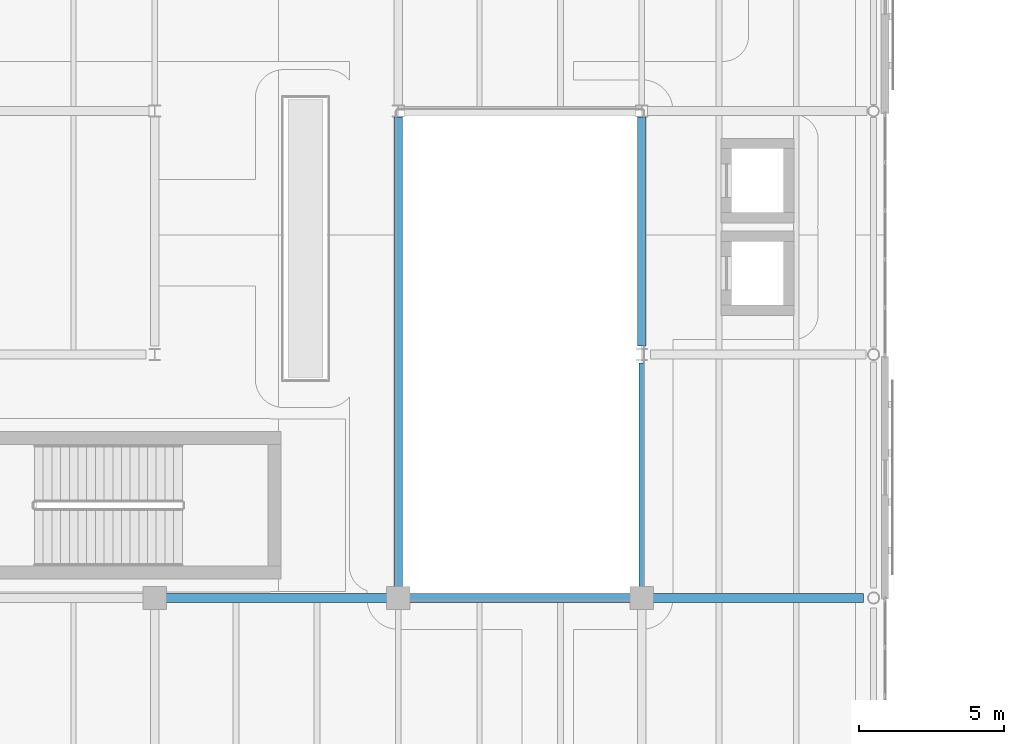
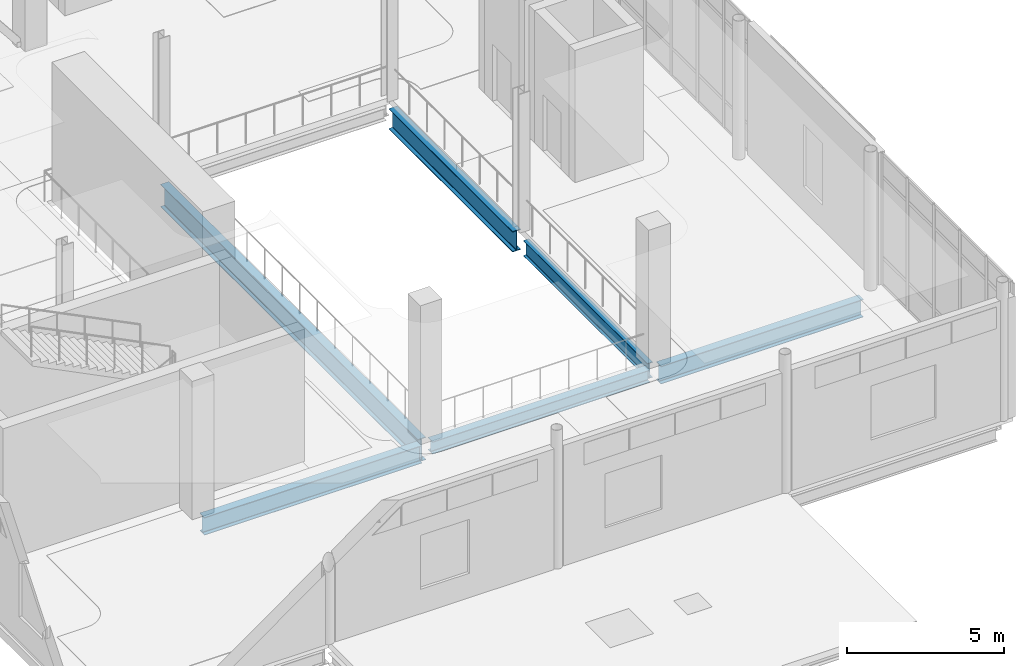
# One storey, part 37 of 110: 6 beams.
"""IFC4 building model written with IfcOpenShell, lengths in metres."""

from ifc_helpers import new_model, si_unit, direction, frame, origin, origin_2d, place, context, subcontext, project, spatial, i_section, extrude, material, material_profile, profile_set, type_object, element, save


model = new_model("IFC4")

# Units and contexts
model_context = context("Model", 3, precision=1e-05, world=origin(), true_north=direction((0.0, 1.0)))
body_context = subcontext(model_context, "Body", "Model", "MODEL_VIEW")
ifc_project = project(units=[si_unit("LENGTHUNIT", "METRE"), si_unit("AREAUNIT", "SQUARE_METRE"), si_unit("VOLUMEUNIT", "CUBIC_METRE"), si_unit("PLANEANGLEUNIT", "RADIAN"), si_unit("MASSUNIT", "GRAM", prefix="KILO"), si_unit("THERMODYNAMICTEMPERATUREUNIT", "KELVIN")], contexts=[model_context])

# Site, building, storey
site_placement = place(None, origin())
site = spatial("IfcSite", under=ifc_project, at=site_placement, CompositionType="ELEMENT")
building_placement = place(site_placement, origin())
building = spatial("IfcBuilding", under=site, at=building_placement, Name="Lustrewick Department Store", CompositionType="ELEMENT")
storey_placement = place(building_placement, frame((0.0, 0.0, 6.0)))
storey = spatial("IfcBuildingStorey", under=building, at=storey_placement, Name="L02", CompositionType="ELEMENT", Elevation=6.0)

# Beams
ifc_material_1 = material(Name="Structural steel Q355C", Category="steel")
ifc_material_profile_1 = material_profile(ifc_material_1, i_section(OverallWidth=0.299072265625, OverallDepth=0.889892578125, WebThickness=0.014892578125, FlangeThickness=0.02294921875, FilletRadius=0.02392578125, at=origin_2d()), Name="HN 890x299x15x23")
ifc_profile_set_1 = profile_set([ifc_material_profile_1], Name="Structural steel Q355C")
beam_type_1 = type_object("IfcBeamType", Name="G03", PredefinedType="BEAM", material=ifc_profile_set_1)
beam_1_placement = place(storey_placement, frame((134.39990234375, 17.0, -0.699951171875), z_axis=(0.0, 1.0, 0.0), x_axis=(-1.0, 0.0, 0.0)))
element("IfcBeam", 1, at=beam_1_placement, inside=storey, type_object=beam_type_1, Name="L02 V3 Girder G03", PredefinedType="BEAM", context=body_context, shape_type="SweptSolid", body=[
    extrude(i_section(OverallWidth=0.299072265625, OverallDepth=0.889892578125, WebThickness=0.014892578125, FlangeThickness=0.02294921875, FilletRadius=0.02392578125, at=origin_2d()), origin(), (0.0, 0.0, 1.0), 16.39306640625),
])
ifc_material_2 = material(Name="Structural steel Q355B", Category="steel")
ifc_material_profile_2 = material_profile(ifc_material_2, i_section(OverallWidth=0.300048828125, OverallDepth=0.800048828125, WebThickness=0.013916015625, FlangeThickness=0.02587890625, FilletRadius=0.02197265625, at=origin_2d()), Name="HN 800x300x14x26")
ifc_profile_set_2 = profile_set([ifc_material_profile_2], Name="Structural steel Q355B")
beam_type_2 = type_object("IfcBeamType", Name="G05", PredefinedType="BEAM", material=ifc_profile_set_2)
beam_2_placement = place(storey_placement, frame((142.800048828125, 25.5, -0.655029296875), z_axis=(0.0, 1.0, 0.0), x_axis=(-1.0, 0.0, 0.0)))
element("IfcBeam", 2, at=beam_2_placement, inside=storey, type_object=beam_type_2, Name="L02 V3 Girder G05", PredefinedType="BEAM", context=body_context, shape_type="SweptSolid", body=[
    extrude(i_section(OverallWidth=0.300048828125, OverallDepth=0.800048828125, WebThickness=0.013916015625, FlangeThickness=0.02587890625, FilletRadius=0.02197265625, at=origin_2d()), origin(), (0.0, 0.0, 1.0), 7.89306640625),
])
ifc_material_profile_3 = material_profile(ifc_material_2, i_section(OverallWidth=0.300048828125, OverallDepth=0.69189453125, WebThickness=0.012939453125, FlangeThickness=0.02001953125, FilletRadius=0.02001953125, at=origin_2d()), Name="HN 692x300x13x20")
ifc_profile_set_3 = profile_set([ifc_material_profile_3], Name="Structural steel Q355B")
beam_type_3 = type_object("IfcBeamType", Name="G09", PredefinedType="BEAM", material=ifc_profile_set_3)
beam_3_placement = place(storey_placement, frame((126.199951171875, 16.800048828125, -0.60107421875), z_axis=(1.0, 0.0, 0.0), x_axis=(0.0, 1.0, 0.0)))
element("IfcBeam", 3, at=beam_3_placement, inside=storey, type_object=beam_type_3, Name="L02 V3 Girder G09", PredefinedType="BEAM", context=body_context, shape_type="SweptSolid", body=[
    extrude(i_section(OverallWidth=0.300048828125, OverallDepth=0.69189453125, WebThickness=0.012939453125, FlangeThickness=0.02001953125, FilletRadius=0.02001953125, at=origin_2d()), origin(), (0.0, 0.0, 1.0), 8.0),
])
beam_4_placement = place(storey_placement, frame((143.0, 16.800048828125, -0.60107421875), z_axis=(1.0, 0.0, 0.0), x_axis=(0.0, 1.0, 0.0)))
element("IfcBeam", 4, at=beam_4_placement, inside=storey, type_object=beam_type_3, Name="L02 V3 Girder G09", PredefinedType="BEAM", context=body_context, shape_type="SweptSolid", body=[
    extrude(i_section(OverallWidth=0.300048828125, OverallDepth=0.69189453125, WebThickness=0.012939453125, FlangeThickness=0.02001953125, FilletRadius=0.02001953125, at=origin_2d()), origin(), (0.0, 0.0, 1.0), 7.449951171875),
])
ifc_material_profile_4 = material_profile(ifc_material_2, i_section(OverallWidth=0.199951171875, OverallDepth=0.60009765625, WebThickness=0.010986328125, FlangeThickness=0.01708984375, FilletRadius=0.01806640625, at=origin_2d()), Name="HN 600x200x11x17")
ifc_profile_set_4 = profile_set([ifc_material_profile_4], Name="Structural steel Q355B")
beam_type_4 = type_object("IfcBeamType", Name="G14", PredefinedType="BEAM", material=ifc_profile_set_4)
beam_5_placement = place(storey_placement, frame((142.800048828125, 17.0, -0.554931640625), z_axis=(0.0, 1.0, 0.0), x_axis=(-1.0, 0.0, 0.0)))
element("IfcBeam", 5, at=beam_5_placement, inside=storey, type_object=beam_type_4, Name="L02 V3 Girder G14", PredefinedType="BEAM", context=body_context, shape_type="SweptSolid", body=[
    extrude(i_section(OverallWidth=0.199951171875, OverallDepth=0.60009765625, WebThickness=0.010986328125, FlangeThickness=0.01708984375, FilletRadius=0.01806640625, at=origin_2d()), origin(), (0.0, 0.0, 1.0), 7.89990234375),
])
ifc_material_profile_5 = material_profile(ifc_material_2, i_section(OverallWidth=0.300048828125, OverallDepth=0.48193359375, WebThickness=0.010986328125, FlangeThickness=0.014892578125, FilletRadius=0.02197265625, at=origin_2d()), Name="HM 482x300x11x15")
ifc_profile_set_5 = profile_set([ifc_material_profile_5], Name="Structural steel Q355B")
beam_type_5 = type_object("IfcBeamType", Name="G20", PredefinedType="BEAM", material=ifc_profile_set_5)
beam_6_placement = place(storey_placement, frame((134.60009765625, 16.800048828125, -0.49609375), z_axis=(1.0, 0.0, 0.0), x_axis=(0.0, 1.0, 0.0)))
element("IfcBeam", 6, at=beam_6_placement, inside=storey, type_object=beam_type_5, Name="L02 V3 Girder G20", PredefinedType="BEAM", context=body_context, shape_type="SweptSolid", body=[
    extrude(i_section(OverallWidth=0.300048828125, OverallDepth=0.48193359375, WebThickness=0.010986328125, FlangeThickness=0.014892578125, FilletRadius=0.02197265625, at=origin_2d()), origin(), (0.0, 0.0, 1.0), 8.0),
])

save(model, "model.ifc")
